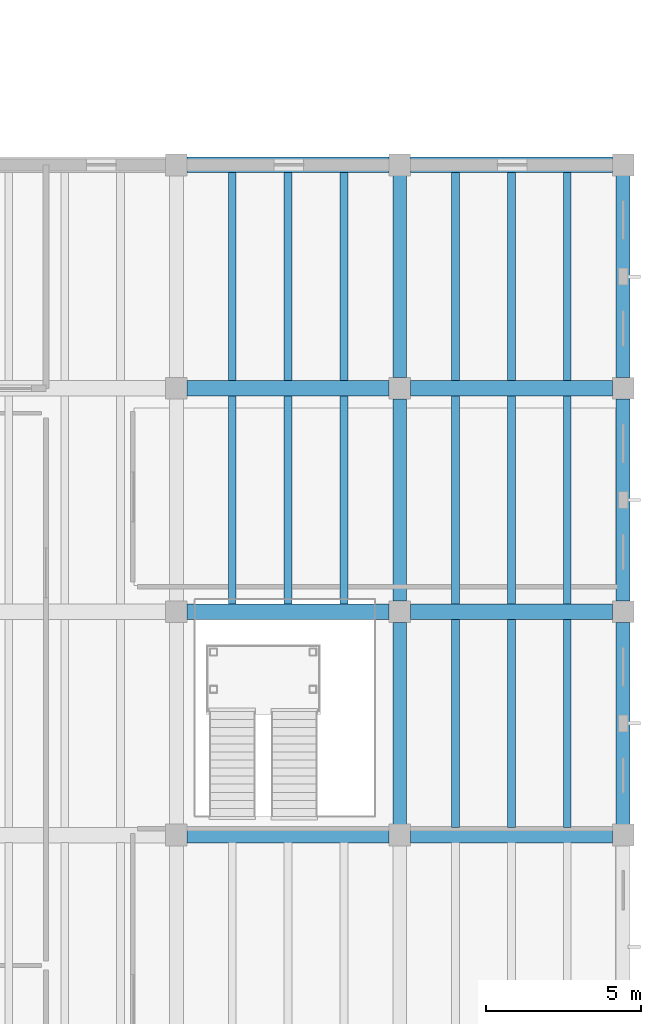
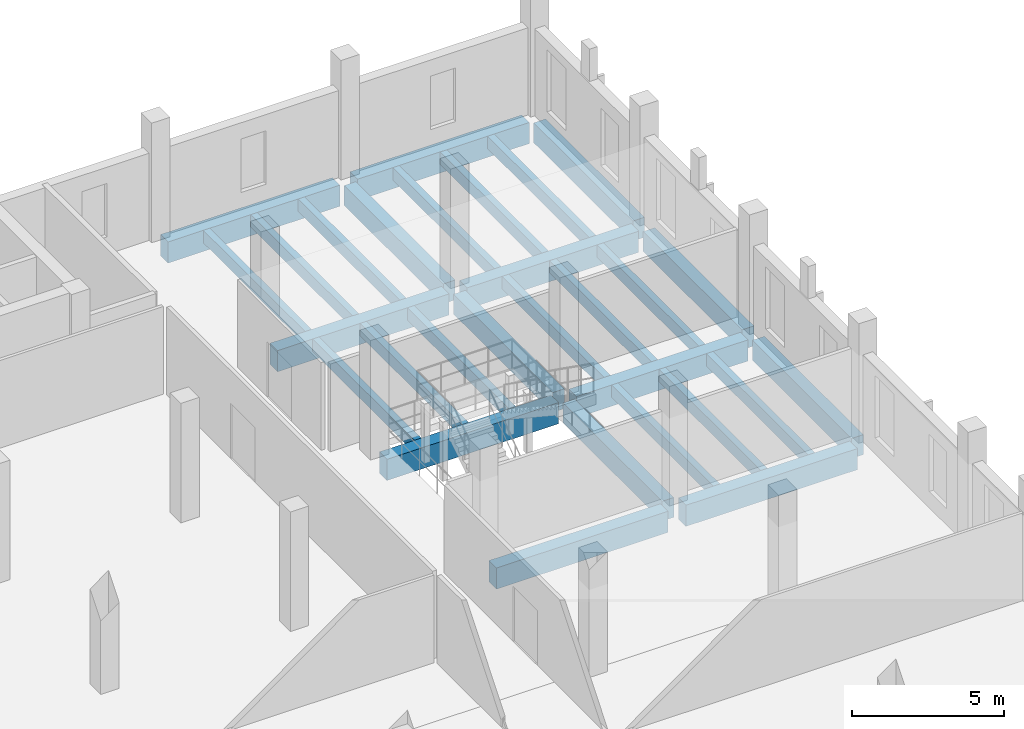
# One storey, part 47 of 77: 29 beams.
"""IFC4 building model written with IfcOpenShell, lengths in metres."""

from ifc_helpers import new_model, si_unit, direction, frame, origin, origin_2d, place, context, subcontext, project, spatial, rectangle, extrude, material, material_profile, profile_set, type_object, element, save


model = new_model("IFC4")

# Units and contexts
model_context = context("Model", 3, precision=1e-05, world=origin(), true_north=direction((0.0, 1.0)))
body_context = subcontext(model_context, "Body", "Model", "MODEL_VIEW")
ifc_project = project(units=[si_unit("LENGTHUNIT", "METRE"), si_unit("AREAUNIT", "SQUARE_METRE"), si_unit("VOLUMEUNIT", "CUBIC_METRE"), si_unit("PLANEANGLEUNIT", "RADIAN"), si_unit("MASSUNIT", "GRAM", prefix="KILO")], contexts=[model_context])

# Site, building, storey
site_placement = place(None, origin())
site = spatial("IfcSite", under=ifc_project, at=site_placement, CompositionType="ELEMENT")
building_placement = place(site_placement, origin())
building = spatial("IfcBuilding", under=site, at=building_placement, Name="Qiaolan Assembly House", CompositionType="ELEMENT")
storey_placement = place(building_placement, frame((0.0, 0.0, 5.39990234375)))
storey = spatial("IfcBuildingStorey", under=building, at=storey_placement, Name="L01", CompositionType="ELEMENT", Elevation=5.39990234375)

# Beams
ifc_material_1 = material(Name="Concrete C40/50", Category="concrete")
ifc_material_profile_1 = material_profile(ifc_material_1, rectangle(XDim=0.449951171875, YDim=0.800048828125, at=origin_2d()), Name="RCB 450x800")
ifc_profile_set_1 = profile_set([ifc_material_profile_1], Name="Concrete C40/50")
beam_type_1 = type_object("IfcBeamType", Name="BM-RC-450x800", PredefinedType="BEAM", material=ifc_profile_set_1)
for number, where, z_axis, x_axis, name in (
    (1, (165.60009765625, 65.139892578125, -0.669921875), (0.0, 1.0, 0.0), (-1.0, 0.0, 0.0), "GB-03 beam BMY-LB-L01-04-05"),
    (2, (165.60009765625, 72.340087890625, -0.669921875), (0.0, 1.0, 0.0), (-1.0, 0.0, 0.0), "GB-03 beam BMY-LB-L01-04-06"),
    (3, (165.60009765625, 79.5400390625, -0.669921875), (0.0, 1.0, 0.0), (-1.0, 0.0, 0.0), "GB-03 beam BMY-LB-L01-04-07"),
    (4, (172.800048828125, 65.139892578125, -0.669921875), (0.0, 1.0, 0.0), (-1.0, 0.0, 0.0), "GB-03 beam BMY-LB-L01-05-05"),
    (5, (172.800048828125, 72.340087890625, -0.669921875), (0.0, 1.0, 0.0), (-1.0, 0.0, 0.0), "GB-03 beam BMY-LB-L01-05-06"),
    (6, (172.800048828125, 79.5400390625, -0.669921875), (0.0, 1.0, 0.0), (-1.0, 0.0, 0.0), "GB-03 beam BMY-LB-L01-05-07"),
):
    element("IfcBeam", number, at=place(storey_placement, frame(where, z_axis=z_axis, x_axis=x_axis)), inside=storey, type_object=beam_type_1, Name=name, PredefinedType="BEAM", context=body_context, shape_type="SweptSolid", body=[
        extrude(rectangle(XDim=0.449951171875, YDim=0.800048828125, at=origin_2d()), origin(), (0.0, 0.0, 1.0), 6.52001953125),
    ])
ifc_material_2 = material(Name="Concrete C45/55", Category="concrete")
ifc_material_profile_2 = material_profile(ifc_material_2, rectangle(XDim=0.5, YDim=0.85009765625, at=origin_2d()), Name="RCB 500x850")
ifc_profile_set_2 = profile_set([ifc_material_profile_2], Name="Concrete C45/55")
beam_type_2 = type_object("IfcBeamType", Name="BM-RC-500x850", PredefinedType="BEAM", material=ifc_profile_set_2)
for number, where, z_axis, x_axis, name in (
    (7, (158.739990234375, 64.800048828125, -0.69482421875), (1.0, 0.0, 0.0), (0.0, 1.0, 0.0), "GB-02 beam BMX-LB-L01-03-05"),
    (8, (165.93994140625, 64.800048828125, -0.69482421875), (1.0, 0.0, 0.0), (0.0, 1.0, 0.0), "GB-02 beam BMX-LB-L01-04-05"),
    (9, (158.739990234375, 72.0, -0.69482421875), (1.0, 0.0, 0.0), (0.0, 1.0, 0.0), "GB-02 beam BMX-LB-L01-03-06"),
    (10, (165.93994140625, 72.0, -0.69482421875), (1.0, 0.0, 0.0), (0.0, 1.0, 0.0), "GB-02 beam BMX-LB-L01-04-06"),
    (11, (158.739990234375, 79.199951171875, -0.69482421875), (1.0, 0.0, 0.0), (0.0, 1.0, 0.0), "GB-02 beam BMX-LB-L01-03-07"),
    (12, (165.93994140625, 79.199951171875, -0.69482421875), (1.0, 0.0, 0.0), (0.0, 1.0, 0.0), "GB-02 beam BMX-LB-L01-04-07"),
    (13, (158.739990234375, 86.39990234375, -0.69482421875), (1.0, 0.0, 0.0), (0.0, 1.0, 0.0), "GB-02 beam BMX-LB-L01-03-08"),
    (14, (165.93994140625, 86.39990234375, -0.69482421875), (1.0, 0.0, 0.0), (0.0, 1.0, 0.0), "GB-02 beam BMX-LB-L01-04-08"),
):
    element("IfcBeam", number, at=place(storey_placement, frame(where, z_axis=z_axis, x_axis=x_axis)), inside=storey, type_object=beam_type_2, Name=name, PredefinedType="BEAM", context=body_context, shape_type="SweptSolid", body=[
        extrude(rectangle(XDim=0.5, YDim=0.85009765625, at=origin_2d()), origin(), (0.0, 0.0, 1.0), 6.52001953125),
    ])
ifc_material_profile_3 = material_profile(ifc_material_1, rectangle(XDim=0.25, YDim=0.5, at=origin_2d()), Name="RCB 250x500")
ifc_profile_set_3 = profile_set([ifc_material_profile_3], Name="Concrete C40/50")
beam_type_3 = type_object("IfcBeamType", Name="JST-RC-250x500", PredefinedType="JOIST", material=ifc_profile_set_3)
for number, where, z_axis, x_axis, name in (
    (15, (160.199951171875, 72.243896484375, -0.52001953125), (0.0, 1.0, 0.0), (-1.0, 0.0, 0.0), "RJ-01 beam JST-LB-L01-03-06-1"),
    (16, (162.0, 72.243896484375, -0.52001953125), (0.0, 1.0, 0.0), (-1.0, 0.0, 0.0), "RJ-01 beam JST-LB-L01-03-06-2"),
    (17, (163.800048828125, 72.243896484375, -0.52001953125), (0.0, 1.0, 0.0), (-1.0, 0.0, 0.0), "RJ-01 beam JST-LB-L01-03-06-3"),
):
    element("IfcBeam", number, at=place(storey_placement, frame(where, z_axis=z_axis, x_axis=x_axis)), inside=storey, type_object=beam_type_3, Name=name, PredefinedType="JOIST", context=body_context, shape_type="SweptSolid", body=[
        extrude(rectangle(XDim=0.25, YDim=0.5, at=origin_2d()), origin(), (0.0, 0.0, 1.0), 6.712158203125),
    ])
for number, where, z_axis, x_axis, name in (
    (18, (160.199951171875, 79.444091796875, -0.52001953125), (0.0, 1.0, 0.0), (-1.0, 0.0, 0.0), "RJ-01 beam JST-LB-L01-03-07-1"),
    (19, (162.0, 79.444091796875, -0.52001953125), (0.0, 1.0, 0.0), (-1.0, 0.0, 0.0), "RJ-01 beam JST-LB-L01-03-07-2"),
    (20, (163.800048828125, 79.444091796875, -0.52001953125), (0.0, 1.0, 0.0), (-1.0, 0.0, 0.0), "RJ-01 beam JST-LB-L01-03-07-3"),
):
    element("IfcBeam", number, at=place(storey_placement, frame(where, z_axis=z_axis, x_axis=x_axis)), inside=storey, type_object=beam_type_3, Name=name, PredefinedType="JOIST", context=body_context, shape_type="SweptSolid", body=[
        extrude(rectangle(XDim=0.25, YDim=0.5, at=origin_2d()), origin(), (0.0, 0.0, 1.0), 6.7119140625),
    ])
for number, where, z_axis, x_axis, name in (
    (21, (167.39990234375, 65.0439453125, -0.52001953125), (0.0, 1.0, 0.0), (-1.0, 0.0, 0.0), "RJ-01 beam JST-LB-L01-04-05-1"),
    (22, (169.199951171875, 65.0439453125, -0.52001953125), (0.0, 1.0, 0.0), (-1.0, 0.0, 0.0), "RJ-01 beam JST-LB-L01-04-05-2"),
    (23, (171.0, 65.0439453125, -0.52001953125), (0.0, 1.0, 0.0), (-1.0, 0.0, 0.0), "RJ-01 beam JST-LB-L01-04-05-3"),
    (24, (167.39990234375, 72.243896484375, -0.52001953125), (0.0, 1.0, 0.0), (-1.0, 0.0, 0.0), "RJ-01 beam JST-LB-L01-04-06-1"),
    (25, (169.199951171875, 72.243896484375, -0.52001953125), (0.0, 1.0, 0.0), (-1.0, 0.0, 0.0), "RJ-01 beam JST-LB-L01-04-06-2"),
    (26, (171.0, 72.243896484375, -0.52001953125), (0.0, 1.0, 0.0), (-1.0, 0.0, 0.0), "RJ-01 beam JST-LB-L01-04-06-3"),
):
    element("IfcBeam", number, at=place(storey_placement, frame(where, z_axis=z_axis, x_axis=x_axis)), inside=storey, type_object=beam_type_3, Name=name, PredefinedType="JOIST", context=body_context, shape_type="SweptSolid", body=[
        extrude(rectangle(XDim=0.25, YDim=0.5, at=origin_2d()), origin(), (0.0, 0.0, 1.0), 6.712158203125),
    ])
for number, where, z_axis, x_axis, name in (
    (27, (167.39990234375, 79.444091796875, -0.52001953125), (0.0, 1.0, 0.0), (-1.0, 0.0, 0.0), "RJ-01 beam JST-LB-L01-04-07-1"),
    (28, (169.199951171875, 79.444091796875, -0.52001953125), (0.0, 1.0, 0.0), (-1.0, 0.0, 0.0), "RJ-01 beam JST-LB-L01-04-07-2"),
    (29, (171.0, 79.444091796875, -0.52001953125), (0.0, 1.0, 0.0), (-1.0, 0.0, 0.0), "RJ-01 beam JST-LB-L01-04-07-3"),
):
    element("IfcBeam", number, at=place(storey_placement, frame(where, z_axis=z_axis, x_axis=x_axis)), inside=storey, type_object=beam_type_3, Name=name, PredefinedType="JOIST", context=body_context, shape_type="SweptSolid", body=[
        extrude(rectangle(XDim=0.25, YDim=0.5, at=origin_2d()), origin(), (0.0, 0.0, 1.0), 6.7119140625),
    ])

save(model, "model.ifc")
